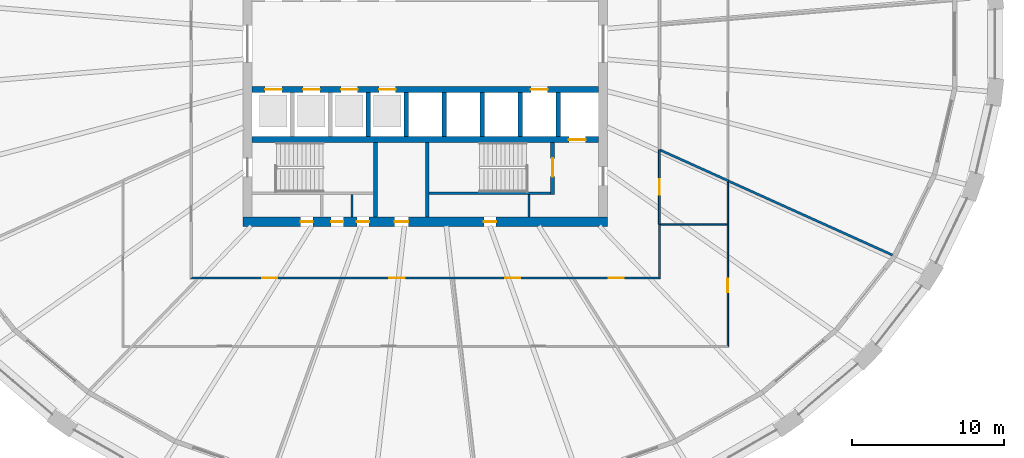
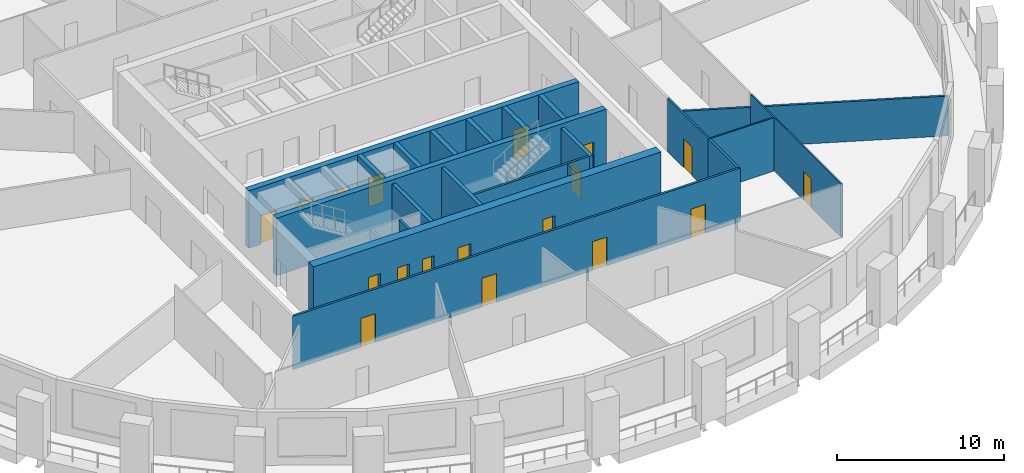
# One storey, part 4 of 11: 22 walls, 18 doors, 18 openings.
"""IFC4 building model written with IfcOpenShell, lengths in metres."""

from ifc_helpers import new_model, si_unit, direction, frame, frame_2d, origin, place, context, subcontext, project, spatial, polyline, rectangle, outline, extrude, material, layer, layer_set, type_object, element, fill, save


model = new_model("IFC4")

# Units and contexts
model_context = context("Model", 3, precision=1e-05, world=origin(), true_north=direction((0.0, 1.0)))
body_context = subcontext(model_context, "Body", "Model", "MODEL_VIEW")
ifc_project = project(units=[si_unit("LENGTHUNIT", "METRE"), si_unit("AREAUNIT", "SQUARE_METRE"), si_unit("VOLUMEUNIT", "CUBIC_METRE"), si_unit("PLANEANGLEUNIT", "RADIAN"), si_unit("MASSUNIT", "GRAM", prefix="KILO")], contexts=[model_context])

# Site, building, storey
site_placement = place(None, origin())
site = spatial("IfcSite", under=ifc_project, at=site_placement, CompositionType="ELEMENT")
building_placement = place(site_placement, origin())
building = spatial("IfcBuilding", under=site, at=building_placement, Name="Halqa Exchange Tower", CompositionType="ELEMENT")
storey_placement = place(building_placement, frame((0.0, 0.0, 40.300048828125)))
storey = spatial("IfcBuildingStorey", under=building, at=storey_placement, Name="L08", CompositionType="ELEMENT", Elevation=40.300048828125)

# Wall, openings, doors
ifc_material_1 = material(Name="Fire-rated gypsum board")
ifc_layer_1 = layer(ifc_material_1, 0.14990234375)
ifc_layer_set_1 = layer_set([ifc_layer_1], Name="Fire-rated gypsum board")
wall_type_1 = type_object("IfcWallType", Name="Fire partition EI 60 150", PredefinedType="PARTITIONING", material=ifc_layer_set_1)
wall_1_placement = place(storey_placement, frame((-15.47509765625, -15.39990234375, 0.0), z_axis=(0.0, 0.0, 1.0), x_axis=(1.0, 0.0, 0.0)))
wall_1 = element("IfcWall", 1, at=wall_1_placement, inside=storey, type_object=wall_type_1, Name="L08-PWL-010", PredefinedType="PARTITIONING", context=body_context, shape_type="SweptSolid", body=[
    extrude(outline(polyline([(0.000244140625, -0.074951171875), (1.9345703125, -0.074951171875), (3.868896484375, -0.074951171875), (5.80322265625, -0.074951171875), (7.73779296875, -0.074951171875), (9.672119140625, -0.074951171875), (11.6064453125, -0.074951171875), (13.540771484375, -0.074951171875), (15.47509765625, -0.074951171875), (17.409423828125, -0.074951171875), (19.34375, -0.074951171875), (21.278076171875, -0.074951171875), (23.21240234375, -0.074951171875), (25.14697265625, -0.074951171875), (27.081298828125, -0.074951171875), (29.015625, -0.074951171875), (30.949951171875, -0.074951171875), (30.800048828125, 0.074951171875), (28.884521484375, 0.074951171875), (26.96875, 0.074951171875), (25.05322265625, 0.074951171875), (23.1376953125, 0.074951171875), (21.221923828125, 0.074951171875), (19.306396484375, 0.074951171875), (17.390625, 0.074951171875), (15.47509765625, 0.074951171875), (13.5595703125, 0.074951171875), (11.643798828125, 0.074951171875), (9.728271484375, 0.074951171875), (7.8125, 0.074951171875), (5.89697265625, 0.074951171875), (3.9814453125, 0.074951171875), (2.065673828125, 0.074951171875), (0.150146484375, 0.074951171875), (0.000244140625, -0.074951171875)])), origin(), (0.0, 0.0, 1.0), 3.89990234375),
])
opening_1_placement = place(wall_1_placement, frame((4.7451171875, 0.0, 0.0)))
opening_1 = element("IfcOpeningElement", 2, at=opening_1_placement, cuts=wall_1, Name="Opening 02-07", PredefinedType="OPENING", context=body_context, shape_type="SweptSolid", body=[
    extrude(rectangle(XDim=1.0, YDim=2.10009765625, at=frame_2d((0.5, 1.050048828125))), frame((0.0, 0.0869140625, 0.0), z_axis=(0.0, -1.0, 0.0), x_axis=(1.0, 0.0, 0.0)), (0.0, 0.0, 1.0), 0.173828125),
])
opening_2_placement = place(wall_1_placement, frame((13.110107421875, 0.0, 0.0)))
opening_2 = element("IfcOpeningElement", 3, at=opening_2_placement, cuts=wall_1, Name="Opening 02-08", PredefinedType="OPENING", context=body_context, shape_type="SweptSolid", body=[
    extrude(rectangle(XDim=1.0, YDim=2.10009765625, at=frame_2d((0.5, 1.050048828125))), frame((0.0, 0.0869140625, 0.0), z_axis=(0.0, -1.0, 0.0), x_axis=(1.0, 0.0, 0.0)), (0.0, 0.0, 1.0), 0.173828125),
])
opening_3_placement = place(wall_1_placement, frame((20.735107421875, 0.0, 0.0)))
opening_3 = element("IfcOpeningElement", 4, at=opening_3_placement, cuts=wall_1, Name="Opening 02-09", PredefinedType="OPENING", context=body_context, shape_type="SweptSolid", body=[
    extrude(rectangle(XDim=1.0, YDim=2.10009765625, at=frame_2d((0.5, 1.050048828125))), frame((0.0, 0.0869140625, 0.0), z_axis=(0.0, -1.0, 0.0), x_axis=(1.0, 0.0, 0.0)), (0.0, 0.0, 1.0), 0.173828125),
])
opening_4_placement = place(wall_1_placement, frame((27.5400390625, 0.0, 0.0)))
opening_4 = element("IfcOpeningElement", 5, at=opening_4_placement, cuts=wall_1, Name="Opening 02-11", PredefinedType="OPENING", context=body_context, shape_type="SweptSolid", body=[
    extrude(rectangle(XDim=1.0, YDim=2.10009765625, at=frame_2d((0.5, 1.050048828125))), frame((0.0, 0.0869140625, 0.0), z_axis=(0.0, -1.0, 0.0), x_axis=(1.0, 0.0, 0.0)), (0.0, 0.0, 1.0), 0.173828125),
])
ifc_material_2 = material(Name="Steel fire door leaf", Category="steel")
door_type_1 = type_object("IfcDoorType", Name="Fire door FD30S 1000 x 2100", OperationType="SINGLE_SWING_LEFT", PredefinedType="DOOR", material=ifc_material_2)
door_1_placement = place(opening_1_placement, frame((1.0, 0.0, 0.0), z_axis=(0.0, 0.0, 1.0), x_axis=(-1.0, 0.0, 0.0)))
door_1 = element("IfcDoor", 6, at=door_1_placement, inside=storey, type_object=door_type_1, Name="L08-IDR-007", OperationType="SINGLE_SWING_LEFT", OverallHeight=2.10009765625, OverallWidth=1.0, PredefinedType="DOOR", context=body_context, shape_type="SweptSolid", body=[
    extrude(rectangle(XDim=1.0, YDim=2.10009765625, at=frame_2d((0.5, 1.050048828125))), frame((0.0, 0.02490234375, 0.0), z_axis=(0.0, -1.0, 0.0), x_axis=(1.0, 0.0, 0.0)), (0.0, 0.0, 1.0), 0.050048828125),
])
fill(opening_1, door_1)
door_2_placement = place(opening_2_placement, frame((1.0, 0.0, 0.0), z_axis=(0.0, 0.0, 1.0), x_axis=(-1.0, 0.0, 0.0)))
door_2 = element("IfcDoor", 7, at=door_2_placement, inside=storey, type_object=door_type_1, Name="L08-IDR-008", OperationType="SINGLE_SWING_RIGHT", OverallHeight=2.10009765625, OverallWidth=1.0, PredefinedType="DOOR", context=body_context, shape_type="SweptSolid", body=[
    extrude(rectangle(XDim=1.0, YDim=2.10009765625, at=frame_2d((0.5, 1.050048828125))), frame((0.0, 0.02490234375, 0.0), z_axis=(0.0, -1.0, 0.0), x_axis=(1.0, 0.0, 0.0)), (0.0, 0.0, 1.0), 0.050048828125),
])
fill(opening_2, door_2)
door_3_placement = place(opening_3_placement, frame((1.0, 0.0, 0.0), z_axis=(0.0, 0.0, 1.0), x_axis=(-1.0, 0.0, 0.0)))
door_3 = element("IfcDoor", 8, at=door_3_placement, inside=storey, type_object=door_type_1, Name="L08-IDR-009", OperationType="SINGLE_SWING_RIGHT", OverallHeight=2.10009765625, OverallWidth=1.0, PredefinedType="DOOR", context=body_context, shape_type="SweptSolid", body=[
    extrude(rectangle(XDim=1.0, YDim=2.10009765625, at=frame_2d((0.5, 1.050048828125))), frame((0.0, 0.02490234375, 0.0), z_axis=(0.0, -1.0, 0.0), x_axis=(1.0, 0.0, 0.0)), (0.0, 0.0, 1.0), 0.050048828125),
])
fill(opening_3, door_3)
door_4_placement = place(opening_4_placement, frame((1.0, 0.0, 0.0), z_axis=(0.0, 0.0, 1.0), x_axis=(-1.0, 0.0, 0.0)))
door_4 = element("IfcDoor", 9, at=door_4_placement, inside=storey, type_object=door_type_1, Name="L08-IDR-011", OperationType="SINGLE_SWING_LEFT", OverallHeight=2.10009765625, OverallWidth=1.0, PredefinedType="DOOR", context=body_context, shape_type="SweptSolid", body=[
    extrude(rectangle(XDim=1.0, YDim=2.10009765625, at=frame_2d((0.5, 1.050048828125))), frame((0.0, 0.02490234375, 0.0), z_axis=(0.0, -1.0, 0.0), x_axis=(1.0, 0.0, 0.0)), (0.0, 0.0, 1.0), 0.050048828125),
])
fill(opening_4, door_4)

# Walls
wall_2_placement = place(storey_placement, frame((15.39990234375, -11.8701171875, 0.0), z_axis=(0.0, 0.0, 1.0), x_axis=(0.0, -1.0, 0.0)))
element("IfcWall", 10, at=wall_2_placement, inside=storey, type_object=wall_type_1, Name="L08-PWL-025", PredefinedType="PARTITIONING", context=body_context, shape_type="SweptSolid", body=[
    extrude(outline(polyline([(0.0, -0.074951171875), (1.7275390625, -0.074951171875), (3.454833984375, -0.074951171875), (3.604736328125, 0.074951171875), (1.80224609375, 0.074951171875), (0.0, 0.074951171875), (0.0, -0.074951171875)])), origin(), (0.0, 0.0, 1.0), 3.89990234375),
])
wall_3_placement = place(storey_placement, frame((15.444091796875, -6.97998046875, 0.0), z_axis=(0.0, 0.0, 1.0), x_axis=(0.911554382715, -0.411179531778, 0.0)))
element("IfcWall", 11, at=wall_3_placement, inside=storey, type_object=wall_type_1, Name="L08-PWL-028", PredefinedType="PARTITIONING", context=body_context, shape_type="SweptSolid", body=[
    extrude(outline(polyline([(0.05126953125, -0.074951171875), (1.67822265625, -0.074951171875), (3.305419921875, -0.074951171875), (4.932373046875, -0.074951171875), (4.932373046875, -0.053955078125), (4.932373046875, 0.074951171875), (4.805419921875, 0.074951171875), (4.800537109375, 0.07275390625), (4.799560546875, 0.074951171875), (3.19970703125, 0.074951171875), (1.599853515625, 0.074951171875), (0.0, 0.074951171875), (0.02001953125, 0.031005859375), (0.00634765625, 0.024658203125), (0.05126953125, -0.074951171875)])), origin(), (0.0, 0.0, 1.0), 2.909912109375),
])
wall_4_placement = place(storey_placement, frame((19.9365234375, -9.0166015625, 0.0), z_axis=(0.0, 0.0, 1.0), x_axis=(0.911435859514, -0.411442187909, 0.0)))
element("IfcWall", 12, at=wall_4_placement, inside=storey, type_object=wall_type_1, Name="L08-PWL-034", PredefinedType="PARTITIONING", context=body_context, shape_type="SweptSolid", body=[
    extrude(outline(polyline([(0.0, -0.074951171875), (0.045166015625, -0.074951171875), (0.048095703125, -0.07373046875), (0.048583984375, -0.074951171875), (2.013427734375, -0.074951171875), (3.978271484375, -0.074951171875), (5.943115234375, -0.074951171875), (7.907958984375, -0.074951171875), (9.872802734375, -0.074951171875), (11.837646484375, -0.074951171875), (11.85595703125, -0.00146484375), (11.858154296875, 0.0693359375), (11.858154296875, 0.074951171875), (9.8818359375, 0.074951171875), (7.905517578125, 0.074951171875), (5.92919921875, 0.074951171875), (3.95263671875, 0.074951171875), (1.976318359375, 0.074951171875), (0.0, 0.074951171875), (0.0, -0.074951171875)])), origin(), (0.0, 0.0, 1.0), 2.909912109375),
])

# Wall, opening, door
ifc_material_3 = material(Name="Fire-rated glazing", Category="glass")
ifc_layer_2 = layer(ifc_material_3, 0.1201171875)
ifc_layer_set_2 = layer_set([ifc_layer_2], Name="Fire-rated glazing")
wall_type_2 = type_object("IfcWallType", Name="Glazed fire partition EI 60 120", PredefinedType="PARTITIONING", material=ifc_layer_set_2)
wall_5_placement = place(storey_placement, frame((15.39990234375, -6.9599609375, 0.0), z_axis=(0.0, 0.0, 1.0), x_axis=(0.0, -1.0, 0.0)))
wall_5 = element("IfcWall", 13, at=wall_5_placement, inside=storey, type_object=wall_type_2, Name="L08-PWL-026", PredefinedType="PARTITIONING", context=body_context, shape_type="SweptSolid", body=[
    extrude(rectangle(XDim=4.91015625, YDim=0.1201171875, at=frame_2d((2.455078125, 0.0))), origin(), (0.0, 0.0, 1.0), 3.89990234375),
])
opening_5_placement = place(wall_5_placement, frame((1.955078125, 0.0, 0.0)))
opening_5 = element("IfcOpeningElement", 14, at=opening_5_placement, cuts=wall_5, Name="Opening 02-10", PredefinedType="OPENING", context=body_context, shape_type="SweptSolid", body=[
    extrude(rectangle(XDim=1.0, YDim=2.10009765625, at=frame_2d((0.5, 1.050048828125))), frame((0.0, 0.072021484375, 0.0), z_axis=(0.0, -1.0, 0.0), x_axis=(1.0, 0.0, 0.0)), (0.0, 0.0, 1.0), 0.14404296875),
])
door_5_placement = place(opening_5_placement, origin())
door_5 = element("IfcDoor", 15, at=door_5_placement, inside=storey, type_object=door_type_1, Name="L08-IDR-010", OperationType="SINGLE_SWING_RIGHT", OverallHeight=2.10009765625, OverallWidth=1.0, PredefinedType="DOOR", context=body_context, shape_type="SweptSolid", body=[
    extrude(rectangle(XDim=1.0, YDim=2.10009765625, at=frame_2d((0.5, 1.050048828125))), frame((0.0, 0.02490234375, 0.0), z_axis=(0.0, -1.0, 0.0), x_axis=(1.0, 0.0, 0.0)), (0.0, 0.0, 1.0), 0.050048828125),
])
fill(opening_5, door_5)

ifc_material_4 = material(Name="Gypsum board")
ifc_layer_3 = layer(ifc_material_4, 0.10009765625)
ifc_layer_set_3 = layer_set([ifc_layer_3], Name="Gypsum board")
wall_type_3 = type_object("IfcWallType", Name="Partition 100 gypsum", PredefinedType="PARTITIONING", material=ifc_layer_set_3)
wall_6_placement = place(storey_placement, frame((19.89990234375, -19.949951171875, 0.0), z_axis=(0.0, 0.0, 1.0), x_axis=(0.0, 1.0, 0.0)))
wall_6 = element("IfcWall", 16, at=wall_6_placement, inside=storey, type_object=wall_type_3, Name="L08-PWL-032", PredefinedType="PARTITIONING", context=body_context, shape_type="SweptSolid", body=[
    extrude(outline(polyline([(10.846435546875, 0.050048828125), (9.055419921875, 0.050048828125), (7.264404296875, 0.050048828125), (5.47314453125, 0.050048828125), (3.68212890625, 0.050048828125), (1.89111328125, 0.050048828125), (0.10009765625, 0.050048828125), (0.0, -0.050048828125), (1.8076171875, -0.050048828125), (3.615478515625, -0.050048828125), (5.42333984375, -0.050048828125), (7.23095703125, -0.050048828125), (9.03857421875, -0.050048828125), (10.846435546875, -0.050048828125), (10.846435546875, 0.050048828125)])), origin(), (0.0, 0.0, 1.0), 3.89990234375),
])
opening_6_placement = place(wall_6_placement, frame((3.614990234375, 0.0, 0.0)))
opening_6 = element("IfcOpeningElement", 17, at=opening_6_placement, cuts=wall_6, Name="Opening 02-22", PredefinedType="OPENING", context=body_context, shape_type="SweptSolid", body=[
    extrude(rectangle(XDim=0.89990234375, YDim=2.10009765625, at=frame_2d((0.449951171875, 1.050048828125))), frame((0.0, 0.06201171875, 0.0), z_axis=(0.0, -1.0, 0.0), x_axis=(1.0, 0.0, 0.0)), (0.0, 0.0, 1.0), 0.1240234375),
])
ifc_material_5 = material(Name="Timber door leaf", Category="wood")
door_type_2 = type_object("IfcDoorType", Name="Door 900 x 2100", OperationType="SINGLE_SWING_LEFT", PredefinedType="DOOR", material=ifc_material_5)
door_6_placement = place(opening_6_placement, origin())
door_6 = element("IfcDoor", 18, at=door_6_placement, inside=storey, type_object=door_type_2, Name="L08-IDR-022", OperationType="SINGLE_SWING_LEFT", OverallHeight=2.10009765625, OverallWidth=0.89990234375, PredefinedType="DOOR", context=body_context, shape_type="SweptSolid", body=[
    extrude(rectangle(XDim=0.89990234375, YDim=2.10009765625, at=frame_2d((0.449951171875, 1.050048828125))), frame((0.0, 0.02490234375, 0.0), z_axis=(0.0, -1.0, 0.0), x_axis=(1.0, 0.0, 0.0)), (0.0, 0.0, 1.0), 0.050048828125),
])
fill(opening_6, door_6)

# Walls
wall_7_placement = place(storey_placement, frame((19.85009765625, -11.8701171875, 0.0), z_axis=(0.0, 0.0, 1.0), x_axis=(-1.0, 0.0, 0.0)))
element("IfcWall", 19, at=wall_7_placement, inside=storey, type_object=wall_type_3, Name="L08-PWL-033", PredefinedType="PARTITIONING", context=body_context, shape_type="SweptSolid", body=[
    extrude(outline(polyline([(4.3896484375, -0.050048828125), (4.3896484375, 0.0), (4.375, 0.0), (4.375, 0.050048828125), (2.916748046875, 0.050048828125), (1.45849609375, 0.050048828125), (0.0, 0.050048828125), (0.0, -0.050048828125), (1.46337890625, -0.050048828125), (2.926513671875, -0.050048828125), (4.3896484375, -0.050048828125)])), origin(), (0.0, 0.0, 1.0), 3.89990234375),
])
ifc_layer_4 = layer(ifc_material_4, 0.14990234375)
ifc_layer_set_4 = layer_set([ifc_layer_4], Name="Gypsum board")
wall_type_4 = type_object("IfcWallType", Name="Penthouse riser wall 150 gypsum", PredefinedType="PARTITIONING", material=ifc_layer_set_4)
for number, where, z_axis, x_axis, name in (
    (20, (-4.824951171875, -11.39990234375, 0.0), (0.0, 0.0, 1.0), (0.0, 1.0, 0.0), "Partition W4.825 S"),
    (21, (6.824951171875, -11.39990234375, 0.0), (0.0, 0.0, 1.0), (0.0, 1.0, 0.0), "Firefighting lobby west wall S"),
):
    element("IfcWall", number, at=place(storey_placement, frame(where, z_axis=z_axis, x_axis=x_axis)), inside=storey, type_object=wall_type_4, Name=name, PredefinedType="PARTITIONING", context=body_context, shape_type="SweptSolid", body=[
        extrude(rectangle(XDim=1.5, YDim=0.14990234375, at=frame_2d((0.75, 0.0))), origin(), (0.0, 0.0, 1.0), 3.89990234375),
    ])
ifc_material_6 = material(Name="Concrete C60/75", Category="concrete")
ifc_layer_5 = layer(ifc_material_6, 0.300048828125)
ifc_layer_set_5 = layer_set([ifc_layer_5], Name="Concrete C60/75")
wall_type_5 = type_object("IfcWallType", Name="RC core wall 300", PredefinedType="SHEAR", material=ifc_layer_set_5)
for number, where, z_axis, x_axis, name in (
    (22, (-3.75, -6.10009765625, 0.0), (0.0, 0.0, 1.0), (0.0, 1.0, 0.0), "Shaft divider S3"),
    (23, (-1.25, -6.10009765625, 0.0), (0.0, 0.0, 1.0), (0.0, 1.0, 0.0), "Shaft divider S4"),
    (24, (1.25, -6.10009765625, 0.0), (0.0, 0.0, 1.0), (0.0, 1.0, 0.0), "Shaft divider S5"),
    (25, (3.75, -6.10009765625, 0.0), (0.0, 0.0, 1.0), (0.0, 1.0, 0.0), "Shaft divider S6"),
    (26, (6.25, -6.10009765625, 0.0), (0.0, 0.0, 1.0), (0.0, 1.0, 0.0), "Shaft divider S7"),
    (27, (8.75, -6.10009765625, 0.0), (0.0, 0.0, 1.0), (0.0, 1.0, 0.0), "Shaft divider S8"),
):
    element("IfcWall", number, at=place(storey_placement, frame(where, z_axis=z_axis, x_axis=x_axis)), inside=storey, type_object=wall_type_5, Name=name, PredefinedType="SHEAR", context=body_context, shape_type="SweptSolid", body=[
        extrude(rectangle(XDim=2.900146484375, YDim=0.300048828125, at=frame_2d((1.4501953125, 0.0))), origin(), (0.0, 0.0, 1.0), 4.199951171875),
    ])

# Wall, openings, doors
ifc_material_7 = material(Name="Concrete C80/95", Category="concrete")
ifc_layer_6 = layer(ifc_material_7, 0.39990234375)
ifc_layer_set_6 = layer_set([ifc_layer_6], Name="Concrete C80/95")
wall_type_6 = type_object("IfcWallType", Name="RC core wall 400 C80/95", PredefinedType="SHEAR", material=ifc_layer_set_6)
wall_8_placement = place(storey_placement, frame((-11.39990234375, -3.0, 0.0), z_axis=(0.0, 0.0, 1.0), x_axis=(1.0, 0.0, 0.0)))
wall_8 = element("IfcWall", 28, at=wall_8_placement, inside=storey, type_object=wall_type_6, Name="Lift row front wall S", PredefinedType="SHEAR", context=body_context, shape_type="SweptSolid", body=[
    extrude(rectangle(XDim=22.7998046875, YDim=0.39990234375, at=frame_2d((11.39990234375, 0.0))), origin(), (0.0, 0.0, 1.0), 4.199951171875),
])
opening_7_placement = place(wall_8_placement, frame((0.85009765625, 0.0, 0.0)))
opening_7 = element("IfcOpeningElement", 29, at=opening_7_placement, cuts=wall_8, Name="Opening LD-LR5-T02", PredefinedType="OPENING", context=body_context, shape_type="SweptSolid", body=[
    extrude(rectangle(XDim=1.10009765625, YDim=2.10009765625, at=frame_2d((0.550048828125, 1.050048828125))), frame((0.0, 0.2119140625, 0.0), z_axis=(0.0, -1.0, 0.0), x_axis=(1.0, 0.0, 0.0)), (0.0, 0.0, 1.0), 0.423828125),
])
opening_8_placement = place(wall_8_placement, frame((3.35009765625, 0.0, 0.0)))
opening_8 = element("IfcOpeningElement", 30, at=opening_8_placement, cuts=wall_8, Name="Opening LD-LR6-T02", PredefinedType="OPENING", context=body_context, shape_type="SweptSolid", body=[
    extrude(rectangle(XDim=1.10009765625, YDim=2.10009765625, at=frame_2d((0.550048828125, 1.050048828125))), frame((0.0, 0.2119140625, 0.0), z_axis=(0.0, -1.0, 0.0), x_axis=(1.0, 0.0, 0.0)), (0.0, 0.0, 1.0), 0.423828125),
])
opening_9_placement = place(wall_8_placement, frame((5.85009765625, 0.0, 0.0)))
opening_9 = element("IfcOpeningElement", 31, at=opening_9_placement, cuts=wall_8, Name="Opening LD-LR7-T02", PredefinedType="OPENING", context=body_context, shape_type="SweptSolid", body=[
    extrude(rectangle(XDim=1.10009765625, YDim=2.10009765625, at=frame_2d((0.550048828125, 1.050048828125))), frame((0.0, 0.2119140625, 0.0), z_axis=(0.0, -1.0, 0.0), x_axis=(1.0, 0.0, 0.0)), (0.0, 0.0, 1.0), 0.423828125),
])
opening_10_placement = place(wall_8_placement, frame((8.35009765625, 0.0, 0.0)))
opening_10 = element("IfcOpeningElement", 32, at=opening_10_placement, cuts=wall_8, Name="Opening LD-LR8-T02", PredefinedType="OPENING", context=body_context, shape_type="SweptSolid", body=[
    extrude(rectangle(XDim=1.10009765625, YDim=2.10009765625, at=frame_2d((0.550048828125, 1.050048828125))), frame((0.0, 0.2119140625, 0.0), z_axis=(0.0, -1.0, 0.0), x_axis=(1.0, 0.0, 0.0)), (0.0, 0.0, 1.0), 0.423828125),
])
opening_11_placement = place(wall_8_placement, frame((18.35009765625, 0.0, 0.0)))
opening_11 = element("IfcOpeningElement", 33, at=opening_11_placement, cuts=wall_8, Name="Opening LD-SV2-T02", PredefinedType="OPENING", context=body_context, shape_type="SweptSolid", body=[
    extrude(rectangle(XDim=1.10009765625, YDim=2.10009765625, at=frame_2d((0.550048828125, 1.050048828125))), frame((0.0, 0.2119140625, 0.0), z_axis=(0.0, -1.0, 0.0), x_axis=(1.0, 0.0, 0.0)), (0.0, 0.0, 1.0), 0.423828125),
])
ifc_material_8 = material(Name="Stainless steel", Category="steel")
door_type_3 = type_object("IfcDoorType", Name="Lift landing door 1100 x 2100", OperationType="SLIDING_TO_LEFT", PredefinedType="DOOR", material=ifc_material_8)
door_7_placement = place(opening_7_placement, origin())
door_7 = element("IfcDoor", 34, at=door_7_placement, inside=storey, type_object=door_type_3, Name="Lift landing door LR5", OperationType="SLIDING_TO_LEFT", OverallHeight=2.10009765625, OverallWidth=1.10009765625, PredefinedType="DOOR", context=body_context, shape_type="SweptSolid", body=[
    extrude(rectangle(XDim=1.10009765625, YDim=2.10009765625, at=frame_2d((0.550048828125, 1.050048828125))), frame((0.0, 0.02490234375, 0.0), z_axis=(0.0, -1.0, 0.0), x_axis=(1.0, 0.0, 0.0)), (0.0, 0.0, 1.0), 0.050048828125),
])
fill(opening_7, door_7)
door_8_placement = place(opening_8_placement, origin())
door_8 = element("IfcDoor", 35, at=door_8_placement, inside=storey, type_object=door_type_3, Name="Lift landing door LR6", OperationType="SLIDING_TO_LEFT", OverallHeight=2.10009765625, OverallWidth=1.10009765625, PredefinedType="DOOR", context=body_context, shape_type="SweptSolid", body=[
    extrude(rectangle(XDim=1.10009765625, YDim=2.10009765625, at=frame_2d((0.550048828125, 1.050048828125))), frame((0.0, 0.02490234375, 0.0), z_axis=(0.0, -1.0, 0.0), x_axis=(1.0, 0.0, 0.0)), (0.0, 0.0, 1.0), 0.050048828125),
])
fill(opening_8, door_8)
door_9_placement = place(opening_9_placement, origin())
door_9 = element("IfcDoor", 36, at=door_9_placement, inside=storey, type_object=door_type_3, Name="Lift landing door LR7", OperationType="SLIDING_TO_LEFT", OverallHeight=2.10009765625, OverallWidth=1.10009765625, PredefinedType="DOOR", context=body_context, shape_type="SweptSolid", body=[
    extrude(rectangle(XDim=1.10009765625, YDim=2.10009765625, at=frame_2d((0.550048828125, 1.050048828125))), frame((0.0, 0.02490234375, 0.0), z_axis=(0.0, -1.0, 0.0), x_axis=(1.0, 0.0, 0.0)), (0.0, 0.0, 1.0), 0.050048828125),
])
fill(opening_9, door_9)
door_10_placement = place(opening_10_placement, origin())
door_10 = element("IfcDoor", 37, at=door_10_placement, inside=storey, type_object=door_type_3, Name="Lift landing door LR8", OperationType="SLIDING_TO_LEFT", OverallHeight=2.10009765625, OverallWidth=1.10009765625, PredefinedType="DOOR", context=body_context, shape_type="SweptSolid", body=[
    extrude(rectangle(XDim=1.10009765625, YDim=2.10009765625, at=frame_2d((0.550048828125, 1.050048828125))), frame((0.0, 0.02490234375, 0.0), z_axis=(0.0, -1.0, 0.0), x_axis=(1.0, 0.0, 0.0)), (0.0, 0.0, 1.0), 0.050048828125),
])
fill(opening_10, door_10)
door_11_placement = place(opening_11_placement, origin())
door_11 = element("IfcDoor", 38, at=door_11_placement, inside=storey, type_object=door_type_3, Name="Lift landing door SV2", OperationType="SLIDING_TO_LEFT", OverallHeight=2.10009765625, OverallWidth=1.10009765625, PredefinedType="DOOR", context=body_context, shape_type="SweptSolid", body=[
    extrude(rectangle(XDim=1.10009765625, YDim=2.10009765625, at=frame_2d((0.550048828125, 1.050048828125))), frame((0.0, 0.02490234375, 0.0), z_axis=(0.0, -1.0, 0.0), x_axis=(1.0, 0.0, 0.0)), (0.0, 0.0, 1.0), 0.050048828125),
])
fill(opening_11, door_11)

# Wall, opening, door
wall_9_placement = place(storey_placement, frame((-11.39990234375, -6.300048828125, 0.0), z_axis=(0.0, 0.0, 1.0), x_axis=(1.0, 0.0, 0.0)))
wall_9 = element("IfcWall", 39, at=wall_9_placement, inside=storey, type_object=wall_type_6, Name="Lift row back wall S", PredefinedType="SHEAR", context=body_context, shape_type="SweptSolid", body=[
    extrude(rectangle(XDim=22.7998046875, YDim=0.39990234375, at=frame_2d((11.39990234375, 0.0))), origin(), (0.0, 0.0, 1.0), 4.199951171875),
])
opening_12_placement = place(wall_9_placement, frame((20.85009765625, 0.0, 0.0)))
opening_12 = element("IfcOpeningElement", 40, at=opening_12_placement, cuts=wall_9, Name="Opening LD-FF2-T02", PredefinedType="OPENING", context=body_context, shape_type="SweptSolid", body=[
    extrude(rectangle(XDim=1.10009765625, YDim=2.10009765625, at=frame_2d((0.550048828125, 1.050048828125))), frame((0.0, 0.2119140625, 0.0), z_axis=(0.0, -1.0, 0.0), x_axis=(1.0, 0.0, 0.0)), (0.0, 0.0, 1.0), 0.423828125),
])
door_12_placement = place(opening_12_placement, origin())
door_12 = element("IfcDoor", 41, at=door_12_placement, inside=storey, type_object=door_type_3, Name="Lift landing door FF2", OperationType="SLIDING_TO_LEFT", OverallHeight=2.10009765625, OverallWidth=1.10009765625, PredefinedType="DOOR", context=body_context, shape_type="SweptSolid", body=[
    extrude(rectangle(XDim=1.10009765625, YDim=2.10009765625, at=frame_2d((0.550048828125, 1.050048828125))), frame((0.0, 0.02490234375, 0.0), z_axis=(0.0, -1.0, 0.0), x_axis=(1.0, 0.0, 0.0)), (0.0, 0.0, 1.0), 0.050048828125),
])
fill(opening_12, door_12)

# Wall, openings, doors
ifc_layer_7 = layer(ifc_material_7, 0.60009765625)
ifc_layer_set_7 = layer_set([ifc_layer_7], Name="Concrete C80/95")
wall_type_7 = type_object("IfcWallType", Name="RC core wall 600 C80/95", PredefinedType="SHEAR", material=ifc_layer_set_7)
wall_10_placement = place(storey_placement, frame((-12.0, -11.699951171875, 0.0), z_axis=(0.0, 0.0, 1.0), x_axis=(1.0, 0.0, 0.0)))
wall_10 = element("IfcWall", 42, at=wall_10_placement, inside=storey, type_object=wall_type_7, Name="Core wall south", PredefinedType="SHEAR", context=body_context, shape_type="SweptSolid", body=[
    extrude(rectangle(XDim=24.0, YDim=0.60009765625, at=frame_2d((12.0, 0.0))), origin(), (0.0, 0.0, 1.0), 4.199951171875),
])
opening_13_placement = place(wall_10_placement, frame((9.97509765625, 0.0, 0.0)))
opening_13 = element("IfcOpeningElement", 43, at=opening_13_placement, cuts=wall_10, Name="Opening T02-C26", PredefinedType="OPENING", context=body_context, shape_type="SweptSolid", body=[
    extrude(rectangle(XDim=0.89990234375, YDim=2.10009765625, at=frame_2d((0.449951171875, 1.050048828125))), frame((0.0, 0.31201171875, 0.0), z_axis=(0.0, -1.0, 0.0), x_axis=(1.0, 0.0, 0.0)), (0.0, 0.0, 1.0), 0.6240234375),
])
opening_14_placement = place(wall_10_placement, frame((3.800048828125, 0.0, 0.0)))
opening_14 = element("IfcOpeningElement", 44, at=opening_14_placement, cuts=wall_10, Name="Opening T02-C27", PredefinedType="OPENING", context=body_context, shape_type="SweptSolid", body=[
    extrude(rectangle(XDim=0.800048828125, YDim=2.10009765625, at=frame_2d((0.39990234375, 1.050048828125))), frame((0.0, 0.31201171875, 0.0), z_axis=(0.0, -1.0, 0.0), x_axis=(1.0, 0.0, 0.0)), (0.0, 0.0, 1.0), 0.6240234375),
])
opening_15_placement = place(wall_10_placement, frame((5.800048828125, 0.0, 0.0)))
opening_15 = element("IfcOpeningElement", 45, at=opening_15_placement, cuts=wall_10, Name="Opening T02-C28", PredefinedType="OPENING", context=body_context, shape_type="SweptSolid", body=[
    extrude(rectangle(XDim=0.800048828125, YDim=2.10009765625, at=frame_2d((0.39990234375, 1.050048828125))), frame((0.0, 0.31201171875, 0.0), z_axis=(0.0, -1.0, 0.0), x_axis=(1.0, 0.0, 0.0)), (0.0, 0.0, 1.0), 0.6240234375),
])
opening_16_placement = place(wall_10_placement, frame((7.5, 0.0, 0.0)))
opening_16 = element("IfcOpeningElement", 46, at=opening_16_placement, cuts=wall_10, Name="Opening T02-C29", PredefinedType="OPENING", context=body_context, shape_type="SweptSolid", body=[
    extrude(rectangle(XDim=0.800048828125, YDim=2.10009765625, at=frame_2d((0.39990234375, 1.050048828125))), frame((0.0, 0.31201171875, 0.0), z_axis=(0.0, -1.0, 0.0), x_axis=(1.0, 0.0, 0.0)), (0.0, 0.0, 1.0), 0.6240234375),
])
opening_17_placement = place(wall_10_placement, frame((15.85009765625, 0.0, 0.0)))
opening_17 = element("IfcOpeningElement", 47, at=opening_17_placement, cuts=wall_10, Name="Opening T02-C30", PredefinedType="OPENING", context=body_context, shape_type="SweptSolid", body=[
    extrude(rectangle(XDim=0.800048828125, YDim=2.10009765625, at=frame_2d((0.39990234375, 1.050048828125))), frame((0.0, 0.31201171875, 0.0), z_axis=(0.0, -1.0, 0.0), x_axis=(1.0, 0.0, 0.0)), (0.0, 0.0, 1.0), 0.6240234375),
])
ifc_material_9 = material(Name="Timber fire door leaf", Category="wood")
door_type_4 = type_object("IfcDoorType", Name="Core room door FD30 900 x 2100", OperationType="SINGLE_SWING_LEFT", PredefinedType="DOOR", material=ifc_material_9)
door_13_placement = place(opening_13_placement, origin())
door_13 = element("IfcDoor", 48, at=door_13_placement, inside=storey, type_object=door_type_4, Name="Core room door", OperationType="SINGLE_SWING_LEFT", OverallHeight=2.10009765625, OverallWidth=0.89990234375, PredefinedType="DOOR", context=body_context, shape_type="SweptSolid", body=[
    extrude(rectangle(XDim=0.89990234375, YDim=2.10009765625, at=frame_2d((0.449951171875, 1.050048828125))), frame((0.0, 0.02490234375, 0.0), z_axis=(0.0, -1.0, 0.0), x_axis=(1.0, 0.0, 0.0)), (0.0, 0.0, 1.0), 0.050048828125),
])
fill(opening_13, door_13)
door_type_5 = type_object("IfcDoorType", Name="Riser door FD60 800 x 2100", OperationType="SINGLE_SWING_LEFT", PredefinedType="DOOR", material=ifc_material_2)
door_14_placement = place(opening_14_placement, origin())
door_14 = element("IfcDoor", 49, at=door_14_placement, inside=storey, type_object=door_type_5, Name="Core room door", OperationType="SINGLE_SWING_LEFT", OverallHeight=2.10009765625, OverallWidth=0.800048828125, PredefinedType="DOOR", context=body_context, shape_type="SweptSolid", body=[
    extrude(rectangle(XDim=0.800048828125, YDim=2.10009765625, at=frame_2d((0.39990234375, 1.050048828125))), frame((0.0, 0.02490234375, 0.0), z_axis=(0.0, -1.0, 0.0), x_axis=(1.0, 0.0, 0.0)), (0.0, 0.0, 1.0), 0.050048828125),
])
fill(opening_14, door_14)
door_15_placement = place(opening_15_placement, origin())
door_15 = element("IfcDoor", 50, at=door_15_placement, inside=storey, type_object=door_type_5, Name="Core room door", OperationType="SINGLE_SWING_RIGHT", OverallHeight=2.10009765625, OverallWidth=0.800048828125, PredefinedType="DOOR", context=body_context, shape_type="SweptSolid", body=[
    extrude(rectangle(XDim=0.800048828125, YDim=2.10009765625, at=frame_2d((0.39990234375, 1.050048828125))), frame((0.0, 0.02490234375, 0.0), z_axis=(0.0, -1.0, 0.0), x_axis=(1.0, 0.0, 0.0)), (0.0, 0.0, 1.0), 0.050048828125),
])
fill(opening_15, door_15)
door_16_placement = place(opening_16_placement, origin())
door_16 = element("IfcDoor", 51, at=door_16_placement, inside=storey, type_object=door_type_5, Name="Core room door", OperationType="SINGLE_SWING_RIGHT", OverallHeight=2.10009765625, OverallWidth=0.800048828125, PredefinedType="DOOR", context=body_context, shape_type="SweptSolid", body=[
    extrude(rectangle(XDim=0.800048828125, YDim=2.10009765625, at=frame_2d((0.39990234375, 1.050048828125))), frame((0.0, 0.02490234375, 0.0), z_axis=(0.0, -1.0, 0.0), x_axis=(1.0, 0.0, 0.0)), (0.0, 0.0, 1.0), 0.050048828125),
])
fill(opening_16, door_16)
door_17_placement = place(opening_17_placement, origin())
door_17 = element("IfcDoor", 52, at=door_17_placement, inside=storey, type_object=door_type_5, Name="Core room door", OperationType="SINGLE_SWING_LEFT", OverallHeight=2.10009765625, OverallWidth=0.800048828125, PredefinedType="DOOR", context=body_context, shape_type="SweptSolid", body=[
    extrude(rectangle(XDim=0.800048828125, YDim=2.10009765625, at=frame_2d((0.39990234375, 1.050048828125))), frame((0.0, 0.02490234375, 0.0), z_axis=(0.0, -1.0, 0.0), x_axis=(1.0, 0.0, 0.0)), (0.0, 0.0, 1.0), 0.050048828125),
])
fill(opening_17, door_17)

# Walls
ifc_material_10 = material(Name="Concrete C30/37", Category="concrete")
ifc_layer_8 = layer(ifc_material_10, 0.14990234375)
ifc_layer_set_8 = layer_set([ifc_layer_8], Name="Concrete C30/37")
wall_type_8 = type_object("IfcWallType", Name="RC stair wall 150 C30/37", PredefinedType="SHEAR", material=ifc_layer_set_8)
wall_11_placement = place(storey_placement, frame((0.25, -9.824951171875, 0.0), z_axis=(0.0, 0.0, 1.0), x_axis=(1.0, 0.0, 0.0)))
element("IfcWall", 53, at=wall_11_placement, inside=storey, type_object=wall_type_8, Name="Stair ST2 north wall S", PredefinedType="SHEAR", context=body_context, shape_type="SweptSolid", body=[
    extrude(rectangle(XDim=8.0, YDim=0.14990234375, at=frame_2d((4.0, 0.0))), origin(), (0.0, 0.0, 1.0), 3.89990234375),
])
ifc_layer_9 = layer(ifc_material_10, 0.25)
ifc_layer_set_9 = layer_set([ifc_layer_9], Name="Concrete C30/37")
wall_type_9 = type_object("IfcWallType", Name="RC stair wall 250 C30/37", PredefinedType="SHEAR", material=ifc_layer_set_9)
for number, where, z_axis, x_axis, name in (
    (54, (-3.27490234375, -11.39990234375, 0.0), (0.0, 0.0, 1.0), (0.0, 1.0, 0.0), "Stair ST1 east wall S"),
    (55, (0.125, -11.39990234375, 0.0), (0.0, 0.0, 1.0), (0.0, 1.0, 0.0), "Stair ST2 west wall S"),
):
    element("IfcWall", number, at=place(storey_placement, frame(where, z_axis=z_axis, x_axis=x_axis)), inside=storey, type_object=wall_type_9, Name=name, PredefinedType="SHEAR", context=body_context, shape_type="SweptSolid", body=[
        extrude(rectangle(XDim=4.89990234375, YDim=0.25, at=frame_2d((2.449951171875, 0.0))), origin(), (0.0, 0.0, 1.0), 3.89990234375),
    ])

# Wall, opening, door
wall_12_placement = place(storey_placement, frame((8.375, -9.89990234375, 0.0), z_axis=(0.0, 0.0, 1.0), x_axis=(0.0, 1.0, 0.0)))
wall_12 = element("IfcWall", 56, at=wall_12_placement, inside=storey, type_object=wall_type_9, Name="Stair ST2 east wall S", PredefinedType="SHEAR", context=body_context, shape_type="SweptSolid", body=[
    extrude(rectangle(XDim=3.39990234375, YDim=0.25, at=frame_2d((1.699951171875, 0.0))), origin(), (0.0, 0.0, 1.0), 3.89990234375),
])
opening_18_placement = place(wall_12_placement, frame((1.175048828125, 0.0, 0.0)))
opening_18 = element("IfcOpeningElement", 57, at=opening_18_placement, cuts=wall_12, Name="Opening T02-C18", PredefinedType="OPENING", context=body_context, shape_type="SweptSolid", body=[
    extrude(rectangle(XDim=1.199951171875, YDim=2.10009765625, at=frame_2d((0.60009765625, 1.050048828125))), frame((0.0, 0.136962890625, 0.0), z_axis=(0.0, -1.0, 0.0), x_axis=(1.0, 0.0, 0.0)), (0.0, 0.0, 1.0), 0.27392578125),
])
door_type_6 = type_object("IfcDoorType", Name="Stair door FD90 1200 x 2100", OperationType="SINGLE_SWING_LEFT", PredefinedType="DOOR", material=ifc_material_2)
door_18_placement = place(opening_18_placement, origin())
door_18 = element("IfcDoor", 58, at=door_18_placement, inside=storey, type_object=door_type_6, Name="Stair door ST4", OperationType="SINGLE_SWING_LEFT", OverallHeight=2.10009765625, OverallWidth=1.199951171875, PredefinedType="DOOR", context=body_context, shape_type="SweptSolid", body=[
    extrude(rectangle(XDim=1.199951171875, YDim=2.10009765625, at=frame_2d((0.60009765625, 1.050048828125))), frame((0.0, 0.02490234375, 0.0), z_axis=(0.0, -1.0, 0.0), x_axis=(1.0, 0.0, 0.0)), (0.0, 0.0, 1.0), 0.050048828125),
])
fill(opening_18, door_18)

save(model, "model.ifc")
